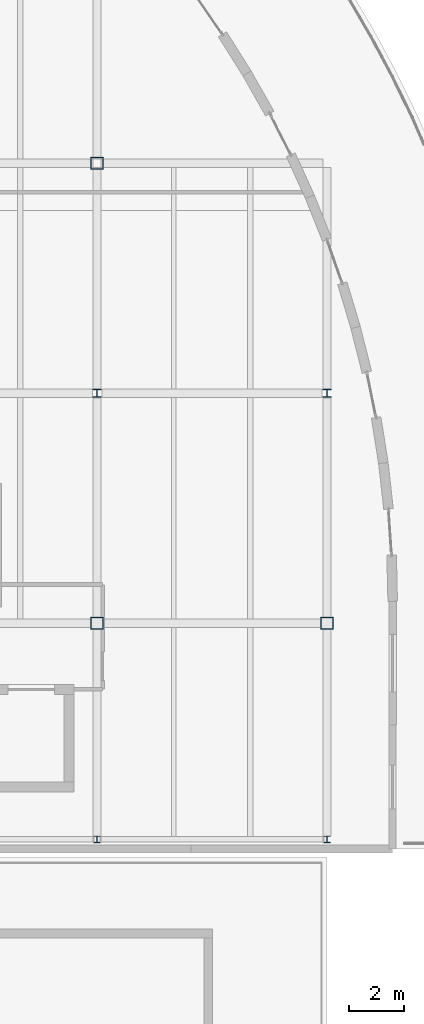
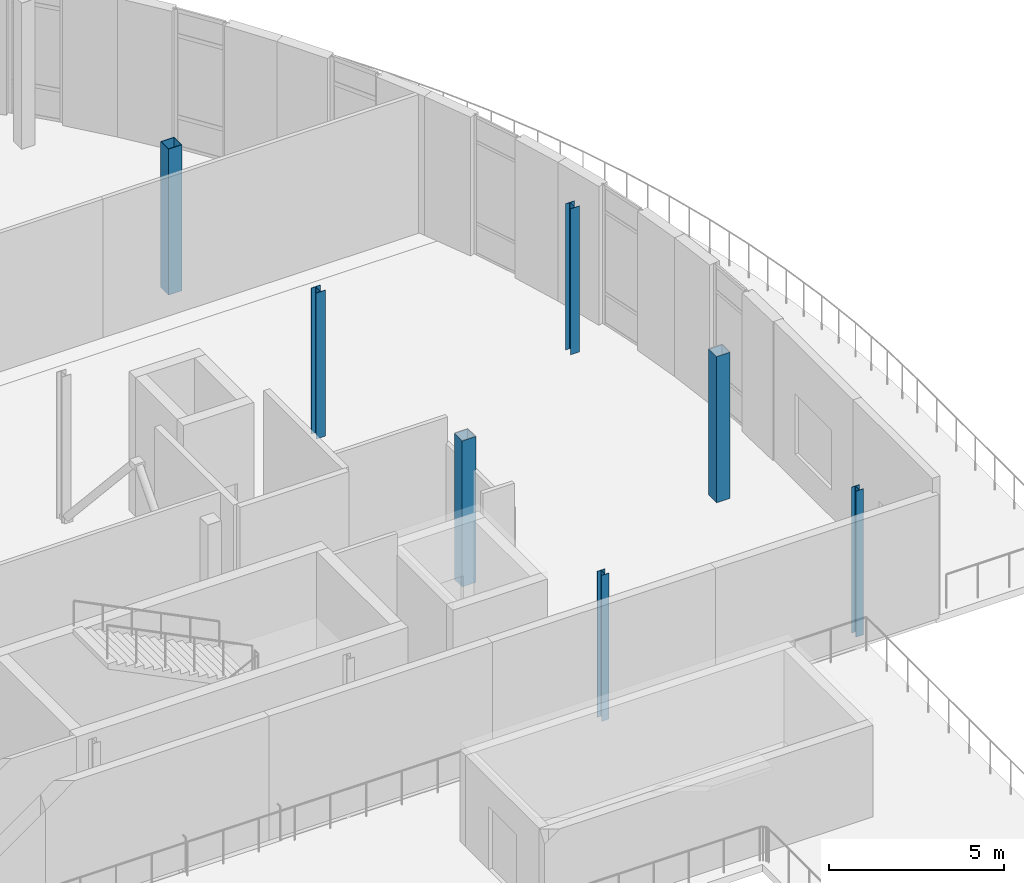
# One storey, part 11 of 57: 7 columns.
"""IFC4 building model written with IfcOpenShell, lengths in metres."""

import ifcopenshell
import ifcopenshell.guid

model = None  # the IFC model being written
_history = None  # IfcOwnerHistory: only IFC2X3 demands one
_inside = {}  # id of a spatial element -> (the spatial element, [elements in it])
_under = {}  # id of a project, library or spatial element -> (it, [spatial elements below it])
_declared = {}  # id of a project -> (the project, [libraries it declares])
_typed = {}  # id of a type object -> (the type object, [elements of that type])
_made_of = {}  # id of a material, layer set ... -> (it, [elements and type objects made of it])


def new_model(schema):
    """Start an empty IFC model of exactly this schema.

    Asked for "IFC4X3", IfcOpenShell would pick the latest addendum, in which some entities
    have other attributes; the version numbers below select the first issue.
    IFC2X3 requires an IfcOwnerHistory on every rooted entity: one is made here for all.
    """
    global model, _history
    if schema == "IFC4X3":
        model = ifcopenshell.file(schema_version=(4, 3, 0, 0))
    else:
        model = ifcopenshell.file(schema=schema)
    _inside.clear()
    _under.clear()
    _declared.clear()
    _typed.clear()
    _made_of.clear()
    _history = None
    if model.schema == "IFC2X3":
        org = make("IfcOrganization", Name="unknown")
        user = make(
            "IfcPersonAndOrganization",
            ThePerson=make("IfcPerson", FamilyName="unknown"),
            TheOrganization=org,
        )
        app = make(
            "IfcApplication",
            ApplicationDeveloper=org,
            Version="unknown",
            ApplicationFullName="unknown",
            ApplicationIdentifier="unknown",
        )
        _history = make(
            "IfcOwnerHistory",
            OwningUser=user,
            OwningApplication=app,
            ChangeAction="ADDED",
            CreationDate=0,
        )
    return model


def make(cls, **values):
    """One entity of the class cls with the attributes given. An attribute that is None is left unset."""
    return model.create_entity(
        cls, **{name: value for name, value in values.items() if value is not None}
    )


def rooted(cls, **values):
    """An entity with a GlobalId (a new one), such as an element, a storey or a relation."""
    return make(cls, GlobalId=ifcopenshell.guid.new(), OwnerHistory=_history, **values)


def si_unit(unit_type, name, prefix=None):
    """IfcSIUnit, for example si_unit("LENGTHUNIT", "METRE", prefix="MILLI")."""
    return make("IfcSIUnit", UnitType=unit_type, Prefix=prefix, Name=name)


def assignment(units):
    """IfcUnitAssignment: the units of a project."""
    return None if units is None else make("IfcUnitAssignment", Units=units)


def point(xyz):
    """IfcCartesianPoint."""
    return None if xyz is None else make("IfcCartesianPoint", Coordinates=xyz)


def direction(xyz):
    """IfcDirection."""
    return None if xyz is None else make("IfcDirection", DirectionRatios=xyz)


def frame(location, z_axis=None, x_axis=None):
    """IfcAxis2Placement3D, a coordinate frame: its origin and axes. An axis left out is left unset."""
    return make(
        "IfcAxis2Placement3D",
        Location=point(location),
        Axis=direction(z_axis),
        RefDirection=direction(x_axis),
    )


def frame_2d(location, x_axis=None):
    """IfcAxis2Placement2D, a coordinate frame in the plane: its origin and x axis."""
    return make(
        "IfcAxis2Placement2D", Location=point(location), RefDirection=direction(x_axis)
    )


def origin():
    """The frame at (0, 0, 0) with its axes left unset."""
    return frame((0.0, 0.0, 0.0))


def origin_2d():
    """The frame at (0, 0) in the plane with its x axis left unset."""
    return frame_2d((0.0, 0.0))


def place(relative_to, where):
    """IfcLocalPlacement: puts the frame where relative to a parent placement (None: the world)."""
    return make(
        "IfcLocalPlacement", PlacementRelTo=relative_to, RelativePlacement=where
    )


def context(
    kind, dimensions, precision=None, world=None, true_north=None, identifier=None
):
    """IfcGeometricRepresentationContext, for example the 3D "Model" context."""
    return make(
        "IfcGeometricRepresentationContext",
        ContextIdentifier=identifier,
        ContextType=kind,
        CoordinateSpaceDimension=dimensions,
        Precision=precision,
        WorldCoordinateSystem=world,
        TrueNorth=true_north,
    )


def subcontext(parent, identifier, kind, view, scale=None):
    """IfcGeometricRepresentationSubContext, for example "Body" below "Model"."""
    return make(
        "IfcGeometricRepresentationSubContext",
        ContextIdentifier=identifier,
        ContextType=kind,
        ParentContext=parent,
        TargetScale=scale,
        TargetView=view,
    )


def project(units=None, contexts=None):
    """IfcProject with its units and contexts."""
    return rooted(
        "IfcProject",
        Name="project",
        RepresentationContexts=contexts,
        UnitsInContext=assignment(units),
    )


def spatial(cls, under=None, at=None, **own):
    """A site, building, storey or space (cls), placed at a placement, below another one or the project."""
    s = rooted(cls, ObjectPlacement=at, **own)
    if under is not None:
        _under.setdefault(under.id(), (under, []))[1].append(s)
    return s


def profile(cls, at=None, kind="AREA", **sizes):
    """A parametric profile (cls). Its sizes go by their IFC names, for example OverallWidth=200.0."""
    return make(cls, ProfileType=kind, Position=at, **sizes)


def hollow_rectangle(**sizes):
    """IfcRectangleHollowProfileDef."""
    return profile("IfcRectangleHollowProfileDef", **sizes)


def i_section(**sizes):
    """IfcIShapeProfileDef."""
    return profile("IfcIShapeProfileDef", **sizes)


def extrude(swept, where, along, depth):
    """IfcExtrudedAreaSolid: the profile swept, set in the frame where, extruded along a direction by depth."""
    return make(
        "IfcExtrudedAreaSolid",
        SweptArea=swept,
        Position=where,
        ExtrudedDirection=direction(along),
        Depth=depth,
    )


def shape(context_of_items, identifier, shape_type, items):
    """IfcShapeRepresentation: the items that make up one representation, for example the "Body"."""
    return make(
        "IfcShapeRepresentation",
        ContextOfItems=context_of_items,
        RepresentationIdentifier=identifier,
        RepresentationType=shape_type,
        Items=items,
    )


def material(Name=None, Category=None):
    """IfcMaterial."""
    return make("IfcMaterial", Name=Name, Category=Category)


def material_profile(
    of_material, cross_section, Name=None, Category=None, Priority=None
):
    """IfcMaterialProfile: a cross section and its material."""
    return make(
        "IfcMaterialProfile",
        Name=Name,
        Material=of_material,
        Profile=cross_section,
        Priority=Priority,
        Category=Category,
    )


def profile_set(profiles, Name=None, composite=None):
    """IfcMaterialProfileSet."""
    return make(
        "IfcMaterialProfileSet",
        Name=Name,
        MaterialProfiles=profiles,
        CompositeProfile=composite,
    )


def made_of(thing, what):
    """Note that an element or type object is made of a material, layer set ...; save() writes the relation."""
    if what is not None:
        _made_of.setdefault(what.id(), (what, []))[1].append(thing)
    return thing


def type_object(cls, material=None, **own):
    """A type object (cls), such as IfcWallType, which elements share."""
    return made_of(rooted(cls, **own), material)


def element(
    cls,
    number,
    at=None,
    inside=None,
    cuts=None,
    type_object=None,
    material=None,
    context=None,
    identifier="Body",
    shape_type=None,
    held_by="IfcProductDefinitionShape",
    body=None,
    shapes=None,
    **own,
):
    """One element of the class cls, such as IfcWall. Its Tag is "e" and its number.

    at: its placement. inside: the storey or other place that contains it. cuts: it is an
    opening in that element (IfcRelVoidsElement). A single representation is given by context,
    identifier, shape_type and body (its items); several are given by shapes. held_by: the class
    of the entity that holds the representations. save() writes the other relations.
    """
    e = rooted(cls, Tag="e%d" % number, ObjectPlacement=at, **own)
    if body is not None:
        shapes = [shape(context, identifier, shape_type, body)]
    if shapes is not None:
        e.Representation = make(held_by, Representations=shapes)
    if inside is not None:
        _inside.setdefault(inside.id(), (inside, []))[1].append(e)
    if cuts is not None:
        rooted(
            "IfcRelVoidsElement", RelatingBuildingElement=cuts, RelatedOpeningElement=e
        )
    if type_object is not None:
        _typed.setdefault(type_object.id(), (type_object, []))[1].append(e)
    return made_of(e, material)


def aggregate(whole, parts):
    """IfcRelAggregates: a whole, such as a stair, and the parts it consists of."""
    return rooted("IfcRelAggregates", RelatingObject=whole, RelatedObjects=parts)


def save(model, path):
    """Write the relations noted so far, then the file.

    IfcRelAggregates (storeys below a building ...), IfcRelContainedInSpatialStructure (elements
    in a storey), IfcRelDefinesByType, IfcRelAssociatesMaterial and IfcRelDeclares: one each for
    every whole, place, type object, material and project.
    """
    for whole, parts in _under.values():
        aggregate(whole, parts)
    for where, things in _inside.values():
        rooted(
            "IfcRelContainedInSpatialStructure",
            RelatedElements=things,
            RelatingStructure=where,
        )
    for kind, things in _typed.values():
        rooted("IfcRelDefinesByType", RelatedObjects=things, RelatingType=kind)
    for what, things in _made_of.values():
        rooted("IfcRelAssociatesMaterial", RelatedObjects=things, RelatingMaterial=what)
    for by, libraries in _declared.values():
        rooted("IfcRelDeclares", RelatingContext=by, RelatedDefinitions=libraries)
    model.write(path)


model = new_model("IFC4")

# Units and contexts
model_context = context("Model", 3, precision=1e-05, world=origin(), true_north=direction((0.0, 1.0)))
body_context = subcontext(model_context, "Body", "Model", "MODEL_VIEW")
ifc_project = project(units=[si_unit("LENGTHUNIT", "METRE"), si_unit("AREAUNIT", "SQUARE_METRE"), si_unit("VOLUMEUNIT", "CUBIC_METRE"), si_unit("PLANEANGLEUNIT", "RADIAN"), si_unit("MASSUNIT", "GRAM", prefix="KILO"), si_unit("THERMODYNAMICTEMPERATUREUNIT", "KELVIN")], contexts=[model_context])

# Site, building, storey
site_placement = place(None, origin())
site = spatial("IfcSite", under=ifc_project, at=site_placement, CompositionType="ELEMENT")
building_placement = place(site_placement, origin())
building = spatial("IfcBuilding", under=site, at=building_placement, Name="Lustrewick Department Store", CompositionType="ELEMENT")
storey_placement = place(building_placement, frame((0.0, 0.0, 26.699951171875)))
storey = spatial("IfcBuildingStorey", under=building, at=storey_placement, Name="L06", CompositionType="ELEMENT", Elevation=26.699951171875)

# Columns
ifc_material = material(Name="Structural steel Q355B", Category="steel")
ifc_material_profile_1 = material_profile(ifc_material, hollow_rectangle(XDim=0.449951171875, YDim=0.449951171875, WallThickness=0.01806640625, at=origin_2d()), Name="BOX 450x450x18")
ifc_profile_set_1 = profile_set([ifc_material_profile_1], Name="Structural steel Q355B")
column_type_1 = type_object("IfcColumnType", Name="C07", PredefinedType="COLUMN", material=ifc_profile_set_1)
for number, where, z_axis, x_axis, name in (
    (1, (142.800048828125, 58.800048828125, 0.0), (0.0, 0.0, 1.0), (1.0, 0.0, 0.0), "L06 V4 Column C07"),
    (2, (142.800048828125, 75.60009765625, 0.0), (0.0, 0.0, 1.0), (1.0, 0.0, 0.0), "L06 V4 Column C07"),
    (3, (151.199951171875, 58.800048828125, 0.0), (0.0, 0.0, 1.0), (1.0, 0.0, 0.0), "L06 V4 Column C07"),
):
    element("IfcColumn", number, at=place(storey_placement, frame(where, z_axis=z_axis, x_axis=x_axis)), inside=storey, type_object=column_type_1, Name=name, PredefinedType="COLUMN", context=body_context, shape_type="SweptSolid", body=[
        extrude(hollow_rectangle(XDim=0.449951171875, YDim=0.449951171875, WallThickness=0.01806640625, at=origin_2d()), origin(), (0.0, 0.0, 1.0), 5.10009765625),
    ])
ifc_material_profile_2 = material_profile(ifc_material, i_section(OverallWidth=0.300048828125, OverallDepth=0.300048828125, WebThickness=0.010009765625, FlangeThickness=0.014892578125, FilletRadius=0.01806640625, at=origin_2d()), Name="HW 300x300x10x15")
ifc_profile_set_2 = profile_set([ifc_material_profile_2], Name="Structural steel Q355B")
column_type_2 = type_object("IfcColumnType", Name="C15", PredefinedType="COLUMN", material=ifc_profile_set_2)
for number, where, z_axis, x_axis, name in (
    (4, (142.800048828125, 67.199951171875, 0.0), (0.0, 0.0, 1.0), (1.0, 0.0, 0.0), "L06 V4 Column C15"),
    (5, (151.199951171875, 67.199951171875, 0.0), (0.0, 0.0, 1.0), (1.0, 0.0, 0.0), "L06 V4 Column C15"),
):
    element("IfcColumn", number, at=place(storey_placement, frame(where, z_axis=z_axis, x_axis=x_axis)), inside=storey, type_object=column_type_2, Name=name, PredefinedType="COLUMN", context=body_context, shape_type="SweptSolid", body=[
        extrude(i_section(OverallWidth=0.300048828125, OverallDepth=0.300048828125, WebThickness=0.010009765625, FlangeThickness=0.014892578125, FilletRadius=0.01806640625, at=origin_2d()), origin(), (0.0, 0.0, 1.0), 5.10009765625),
    ])
ifc_material_profile_3 = material_profile(ifc_material, i_section(OverallWidth=0.25, OverallDepth=0.25, WebThickness=0.009033203125, FlangeThickness=0.013916015625, FilletRadius=0.01611328125, at=origin_2d()), Name="HW 250x250x9x14")
ifc_profile_set_3 = profile_set([ifc_material_profile_3], Name="Structural steel Q355B")
column_type_3 = type_object("IfcColumnType", Name="CE08", PredefinedType="COLUMN", material=ifc_profile_set_3)
for number, where, z_axis, x_axis, name in (
    (6, (142.800048828125, 50.89990234375, 0.0), (0.0, 0.0, 1.0), (1.0, 0.0, 0.0), "L06 V4 Column CE08"),
    (7, (151.199951171875, 50.89990234375, 0.0), (0.0, 0.0, 1.0), (1.0, 0.0, 0.0), "L06 V4 Column CE08"),
):
    element("IfcColumn", number, at=place(storey_placement, frame(where, z_axis=z_axis, x_axis=x_axis)), inside=storey, type_object=column_type_3, Name=name, PredefinedType="COLUMN", context=body_context, shape_type="SweptSolid", body=[
        extrude(i_section(OverallWidth=0.25, OverallDepth=0.25, WebThickness=0.009033203125, FlangeThickness=0.013916015625, FilletRadius=0.01611328125, at=origin_2d()), origin(), (0.0, 0.0, 1.0), 5.10009765625),
    ])

save(model, "model.ifc")
